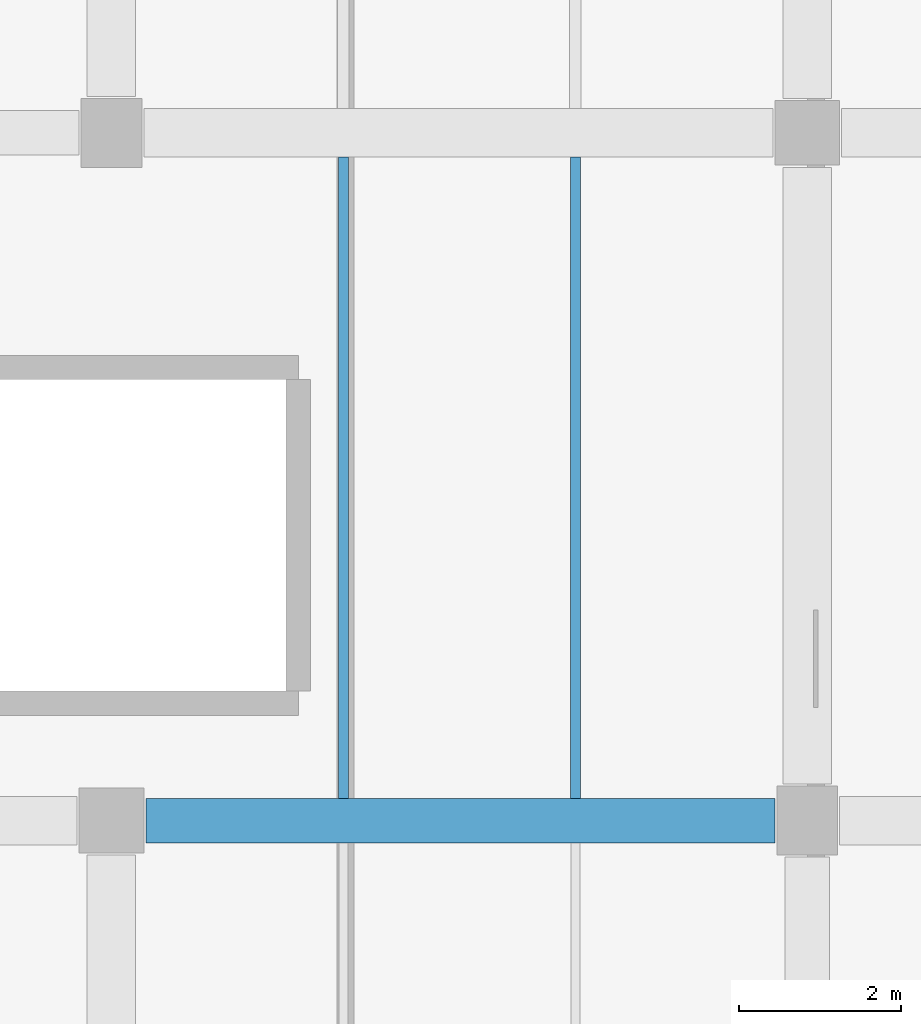
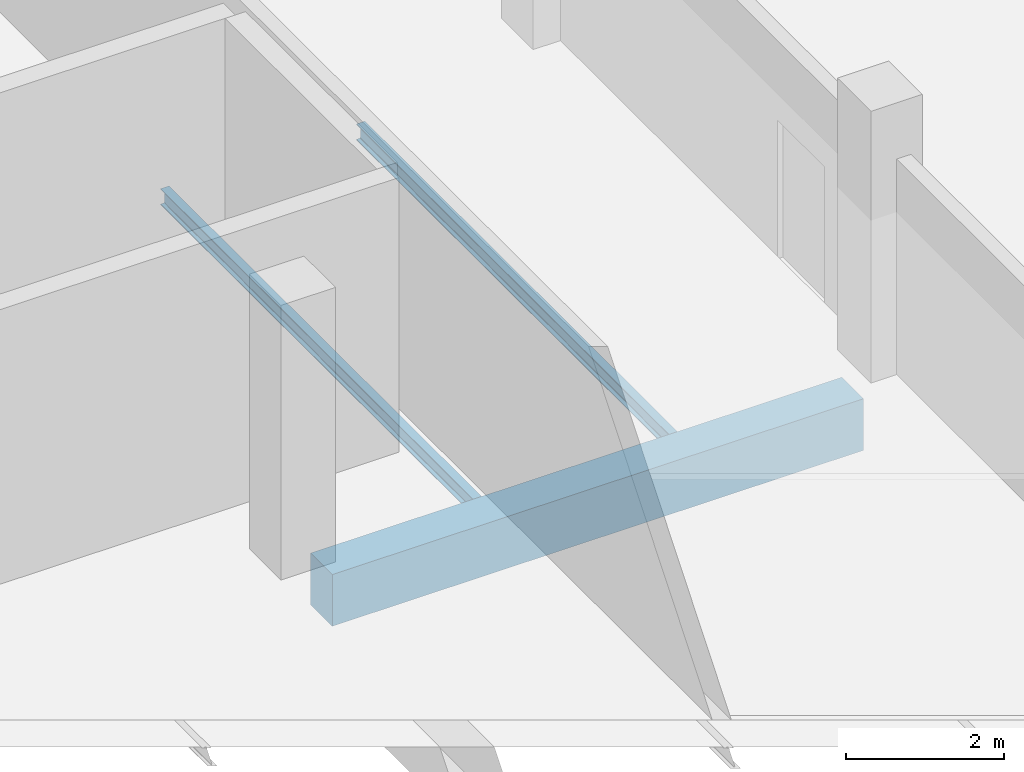
# One storey, part 41 of 76: 3 beams.
"""IFC4 building model written with IfcOpenShell, lengths in metres."""

from ifc_helpers import new_model, si_unit, direction, frame, origin, origin_2d, place, context, subcontext, project, spatial, rectangle, i_section, extrude, material, material_profile, profile_set, type_object, element, save


model = new_model("IFC4")

# Units and contexts
model_context = context("Model", 3, precision=1e-05, world=origin(), true_north=direction((0.0, 1.0)))
body_context = subcontext(model_context, "Body", "Model", "MODEL_VIEW")
ifc_project = project(units=[si_unit("LENGTHUNIT", "METRE"), si_unit("AREAUNIT", "SQUARE_METRE"), si_unit("VOLUMEUNIT", "CUBIC_METRE"), si_unit("PLANEANGLEUNIT", "RADIAN"), si_unit("MASSUNIT", "GRAM", prefix="KILO")], contexts=[model_context])

# Site, building, storey
site_placement = place(None, origin())
site = spatial("IfcSite", under=ifc_project, at=site_placement, CompositionType="ELEMENT")
building_placement = place(site_placement, origin())
building = spatial("IfcBuilding", under=site, at=building_placement, Name="Varnakota Cinema and Media Centre", CompositionType="ELEMENT")
storey_placement = place(building_placement, origin())
storey = spatial("IfcBuildingStorey", under=building, at=storey_placement, Name="L00", CompositionType="ELEMENT", Elevation=0.0)

# Beams
ifc_material_1 = material(Name="Concrete M35", Category="concrete")
ifc_material_profile_1 = material_profile(ifc_material_1, rectangle(XDim=0.550048828125, YDim=0.800048828125, at=origin_2d()), Name="RCB 550x800")
ifc_profile_set_1 = profile_set([ifc_material_profile_1], Name="Concrete M35")
beam_type_1 = type_object("IfcBeamType", Name="BM-RC-550x800", PredefinedType="BEAM", material=ifc_profile_set_1)
beam_placement = place(storey_placement, frame((9.02490234375, 61.0, -0.679931640625), z_axis=(1.0, 0.0, 0.0), x_axis=(0.0, 1.0, 0.0)))
element("IfcBeam", 1, at=beam_placement, inside=storey, type_object=beam_type_1, Name="L00 girder B-C/8", PredefinedType="BEAM", context=body_context, shape_type="SweptSolid", body=[
    extrude(rectangle(XDim=0.550048828125, YDim=0.800048828125, at=origin_2d()), origin(), (0.0, 0.0, 1.0), 7.775146484375),
])
ifc_material_2 = material(Name="Structural steel Grade 350 (E350)", Category="steel")
ifc_material_profile_2 = material_profile(ifc_material_2, i_section(OverallWidth=0.125, OverallDepth=0.25, WebThickness=0.0068359375, FlangeThickness=0.012451171875, FilletRadius=0.012939453125, at=origin_2d()), Name="ISMB 250")
ifc_profile_set_2 = profile_set([ifc_material_profile_2], Name="Structural steel Grade 350 (E350)")
beam_type_2 = type_object("IfcBeamType", Name="BM-ST-ISMB250", PredefinedType="JOIST", material=ifc_profile_set_2)
for number, where, z_axis, x_axis, name in (
    (2, (11.466796875, 61.27490234375, -0.405029296875), (0.0, 1.0, 0.0), (-1.0, 0.0, 0.0), "L00 steel joist B-C/8-9 #1"),
    (3, (14.333251953125, 61.27490234375, -0.405029296875), (0.0, 1.0, 0.0), (-1.0, 0.0, 0.0), "L00 steel joist B-C/8-9 #2"),
):
    element("IfcBeam", number, at=place(storey_placement, frame(where, z_axis=z_axis, x_axis=x_axis)), inside=storey, type_object=beam_type_2, Name=name, PredefinedType="JOIST", context=body_context, shape_type="SweptSolid", body=[
        extrude(i_section(OverallWidth=0.125, OverallDepth=0.25, WebThickness=0.0068359375, FlangeThickness=0.012451171875, FilletRadius=0.012939453125, at=origin_2d()), origin(), (0.0, 0.0, 1.0), 7.925048828125),
    ])

save(model, "model.ifc")
